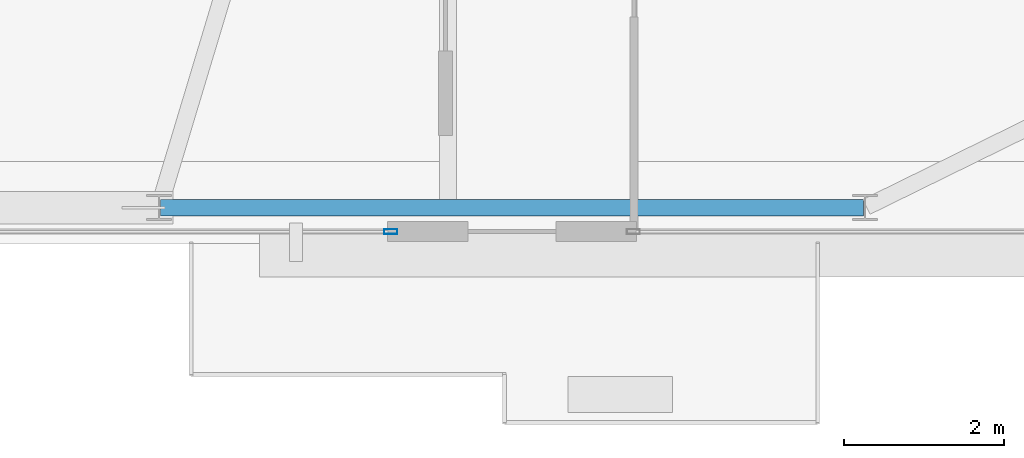
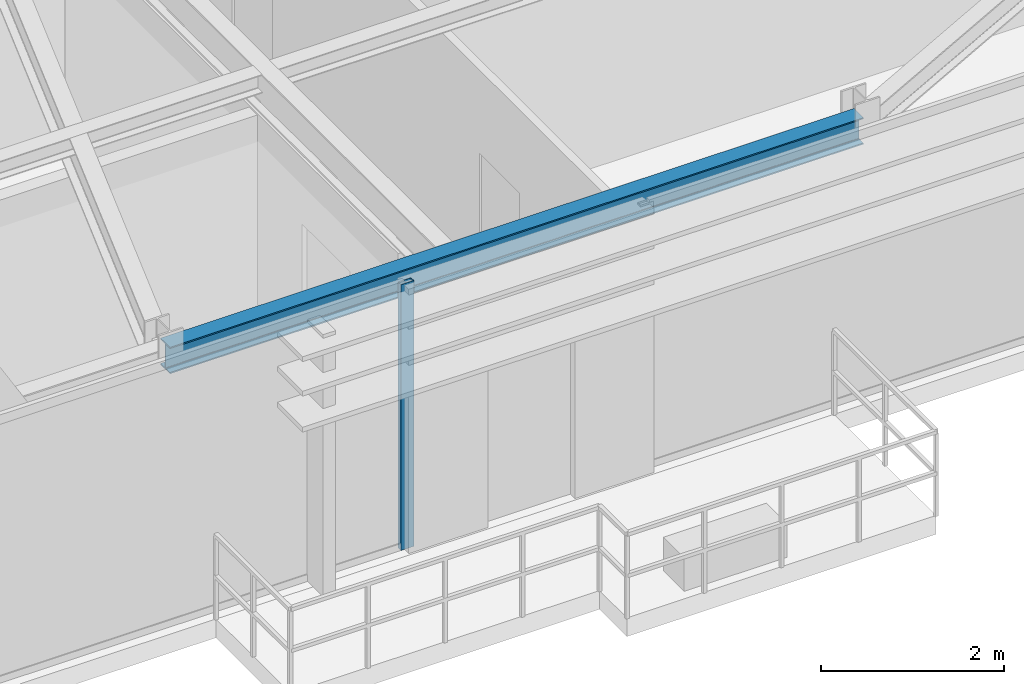
# One storey, part 7 of 25: 1 beam, 1 member, 1 element without a shape of its own.
"""IFC4 building model written with IfcOpenShell, lengths in metres."""

from ifc_helpers import new_model, si_unit, direction, frame, origin, origin_2d, place, context, subcontext, project, spatial, hollow_rectangle, i_section, extrude, source, transform, mapped, material, layer, layer_set, material_profile, profile_set, type_object, type_shapes, element, aggregate, save


model = new_model("IFC4")

# Units and contexts
model_context = context("Model", 3, precision=1e-05, world=origin(), true_north=direction((0.0, 1.0)))
body_context = subcontext(model_context, "Body", "Model", "MODEL_VIEW")
ifc_project = project(units=[si_unit("LENGTHUNIT", "METRE"), si_unit("AREAUNIT", "SQUARE_METRE"), si_unit("VOLUMEUNIT", "CUBIC_METRE"), si_unit("PLANEANGLEUNIT", "RADIAN"), si_unit("MASSUNIT", "GRAM", prefix="KILO")], contexts=[model_context])

# Site, building, storey
site_placement = place(None, origin())
site = spatial("IfcSite", under=ifc_project, at=site_placement, CompositionType="ELEMENT")
building_placement = place(site_placement, origin())
building = spatial("IfcBuilding", under=site, at=building_placement, Name="Varnel Quay Broadcast Tower", CompositionType="ELEMENT")
storey_placement = place(building_placement, frame((0.0, 0.0, 273.60009765625)))
storey = spatial("IfcBuildingStorey", under=building, at=storey_placement, Name="L68", CompositionType="ELEMENT", Elevation=273.60009765625)

# Beam
ifc_material_1 = material(Name="Structural Steel CSA G40.21 350W", Category="steel")
ifc_material_profile_1 = material_profile(ifc_material_1, i_section(OverallWidth=0.205078125, OverallDepth=0.35400390625, WebThickness=0.009521484375, FlangeThickness=0.016845703125, FilletRadius=0.012939453125, at=origin_2d()), Name="W360X79")
ifc_profile_set_1 = profile_set([ifc_material_profile_1], Name="Structural Steel CSA G40.21 350W")
beam_type = type_object("IfcBeamType", Name="Beam_W360X79", PredefinedType="SPANDREL", material=ifc_profile_set_1)
shared_shape_1 = source(origin(), body_context, "Body", "SweptSolid", [
    extrude(i_section(OverallWidth=0.205078125, OverallDepth=0.35400390625, WebThickness=0.009521484375, FlangeThickness=0.016845703125, FilletRadius=0.012939453125, at=origin_2d()), origin(), (0.0, 0.0, 1.0), 8.760009765625),
])
type_shapes(beam_type, [shared_shape_1])
beam_placement = place(storey_placement, frame((38.419921875, 13.64990234375, 3.372802734375), z_axis=(1.0, 0.0, 0.0), x_axis=(0.0, 1.0, 0.0)))
element("IfcBeam", 1, at=beam_placement, inside=storey, type_object=beam_type, Name="L68 South Spandrel TC-S3-TC-S4", PredefinedType="SPANDREL", context=body_context, shape_type="MappedRepresentation", body=[
    mapped(shared_shape_1, transform((0.0, 0.0, 0.0), x_axis=(1.0, 0.0, 0.0), y_axis=(0.0, 1.0, 0.0), z_axis=(0.0, 0.0, 1.0), scale=1.0)),
])

# Curtain wall, member
ifc_material_2 = material(Name="Anodised Bronze Aluminium 6063-T6", Category="aluminium")
ifc_layer = layer(ifc_material_2, 0.18994140625, Name="Anodised Bronze Aluminium 6063-T6")
ifc_layer_set = layer_set([ifc_layer], Name="Anodised Bronze Aluminium 6063-T6")
curtain_wall_type = type_object("IfcCurtainWallType", Name="CW_UpperTower", PredefinedType="NOTDEFINED", material=ifc_layer_set)
curtain_wall_placement = place(storey_placement, origin())
curtain_wall = element("IfcCurtainWall", 2, at=curtain_wall_placement, inside=storey, type_object=curtain_wall_type, Name="L68 South Unitised Curtain Wall 2", PredefinedType="NOTDEFINED")
ifc_material_profile_2 = material_profile(ifc_material_2, hollow_rectangle(XDim=0.06494140625, YDim=0.1650390625, WallThickness=0.00341796875, at=origin_2d()), Name="ALU65X165X3.5")
ifc_profile_set_2 = profile_set([ifc_material_profile_2], Name="Anodised Bronze Aluminium 6063-T6")
member_type = type_object("IfcMemberType", Name="Mull_CWS-03", PredefinedType="MULLION", material=ifc_profile_set_2)
shared_shape_2 = source(origin(), body_context, "Body", "SweptSolid", [
    extrude(hollow_rectangle(XDim=0.06494140625, YDim=0.1650390625, WallThickness=0.00341796875, at=origin_2d()), origin(), (0.0, 0.0, 1.0), 3.5498046875),
])
type_shapes(member_type, [shared_shape_2])
member_placement = place(storey_placement, frame((41.28759765625, 13.35009765625, 0.0), z_axis=(0.0, 0.0, 1.0), x_axis=(0.0, 1.0, 0.0)))
member = element("IfcMember", 3, at=member_placement, type_object=member_type, Name="CWS-03 mullion 2", PredefinedType="MULLION", context=body_context, shape_type="MappedRepresentation", body=[
    mapped(shared_shape_2, transform((0.0, 0.0, 0.0), x_axis=(1.0, 0.0, 0.0), y_axis=(0.0, 1.0, 0.0), z_axis=(0.0, 0.0, 1.0), scale=1.0)),
])
aggregate(curtain_wall, [member])

save(model, "model.ifc")
